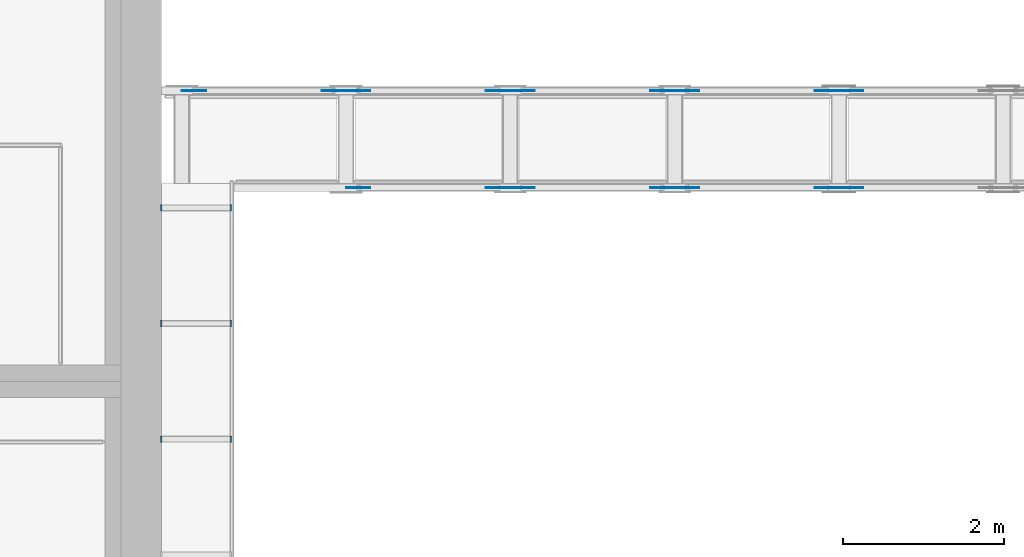
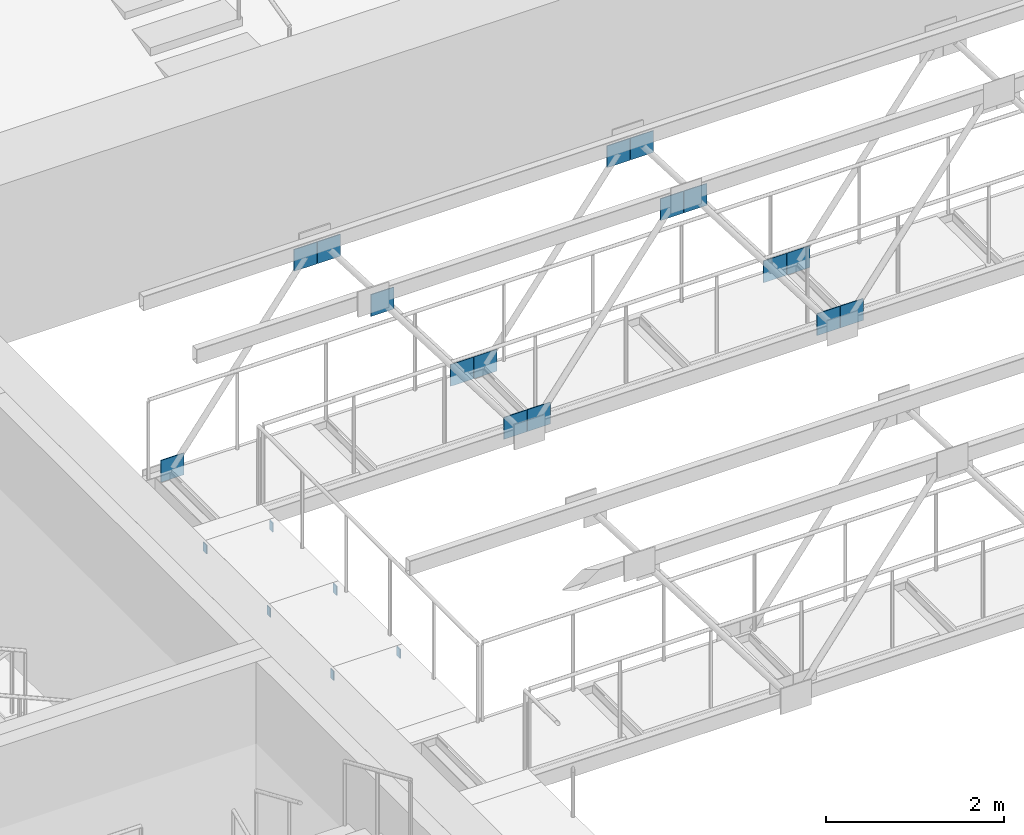
# One storey, part 46 of 70: 22 discrete accessories.
"""IFC4 building model written with IfcOpenShell, lengths in metres."""

import ifcopenshell
import ifcopenshell.guid

model = None  # the IFC model being written
_history = None  # IfcOwnerHistory: only IFC2X3 demands one
_inside = {}  # id of a spatial element -> (the spatial element, [elements in it])
_under = {}  # id of a project, library or spatial element -> (it, [spatial elements below it])
_declared = {}  # id of a project -> (the project, [libraries it declares])
_typed = {}  # id of a type object -> (the type object, [elements of that type])
_made_of = {}  # id of a material, layer set ... -> (it, [elements and type objects made of it])


def new_model(schema):
    """Start an empty IFC model of exactly this schema.

    Asked for "IFC4X3", IfcOpenShell would pick the latest addendum, in which some entities
    have other attributes; the version numbers below select the first issue.
    IFC2X3 requires an IfcOwnerHistory on every rooted entity: one is made here for all.
    """
    global model, _history
    if schema == "IFC4X3":
        model = ifcopenshell.file(schema_version=(4, 3, 0, 0))
    else:
        model = ifcopenshell.file(schema=schema)
    _inside.clear()
    _under.clear()
    _declared.clear()
    _typed.clear()
    _made_of.clear()
    _history = None
    if model.schema == "IFC2X3":
        org = make("IfcOrganization", Name="unknown")
        user = make(
            "IfcPersonAndOrganization",
            ThePerson=make("IfcPerson", FamilyName="unknown"),
            TheOrganization=org,
        )
        app = make(
            "IfcApplication",
            ApplicationDeveloper=org,
            Version="unknown",
            ApplicationFullName="unknown",
            ApplicationIdentifier="unknown",
        )
        _history = make(
            "IfcOwnerHistory",
            OwningUser=user,
            OwningApplication=app,
            ChangeAction="ADDED",
            CreationDate=0,
        )
    return model


def make(cls, **values):
    """One entity of the class cls with the attributes given. An attribute that is None is left unset."""
    return model.create_entity(
        cls, **{name: value for name, value in values.items() if value is not None}
    )


def rooted(cls, **values):
    """An entity with a GlobalId (a new one), such as an element, a storey or a relation."""
    return make(cls, GlobalId=ifcopenshell.guid.new(), OwnerHistory=_history, **values)


def si_unit(unit_type, name, prefix=None):
    """IfcSIUnit, for example si_unit("LENGTHUNIT", "METRE", prefix="MILLI")."""
    return make("IfcSIUnit", UnitType=unit_type, Prefix=prefix, Name=name)


def assignment(units):
    """IfcUnitAssignment: the units of a project."""
    return None if units is None else make("IfcUnitAssignment", Units=units)


def point(xyz):
    """IfcCartesianPoint."""
    return None if xyz is None else make("IfcCartesianPoint", Coordinates=xyz)


def direction(xyz):
    """IfcDirection."""
    return None if xyz is None else make("IfcDirection", DirectionRatios=xyz)


def frame(location, z_axis=None, x_axis=None):
    """IfcAxis2Placement3D, a coordinate frame: its origin and axes. An axis left out is left unset."""
    return make(
        "IfcAxis2Placement3D",
        Location=point(location),
        Axis=direction(z_axis),
        RefDirection=direction(x_axis),
    )


def frame_2d(location, x_axis=None):
    """IfcAxis2Placement2D, a coordinate frame in the plane: its origin and x axis."""
    return make(
        "IfcAxis2Placement2D", Location=point(location), RefDirection=direction(x_axis)
    )


def origin():
    """The frame at (0, 0, 0) with its axes left unset."""
    return frame((0.0, 0.0, 0.0))


def origin_2d():
    """The frame at (0, 0) in the plane with its x axis left unset."""
    return frame_2d((0.0, 0.0))


def place(relative_to, where):
    """IfcLocalPlacement: puts the frame where relative to a parent placement (None: the world)."""
    return make(
        "IfcLocalPlacement", PlacementRelTo=relative_to, RelativePlacement=where
    )


def context(
    kind, dimensions, precision=None, world=None, true_north=None, identifier=None
):
    """IfcGeometricRepresentationContext, for example the 3D "Model" context."""
    return make(
        "IfcGeometricRepresentationContext",
        ContextIdentifier=identifier,
        ContextType=kind,
        CoordinateSpaceDimension=dimensions,
        Precision=precision,
        WorldCoordinateSystem=world,
        TrueNorth=true_north,
    )


def subcontext(parent, identifier, kind, view, scale=None):
    """IfcGeometricRepresentationSubContext, for example "Body" below "Model"."""
    return make(
        "IfcGeometricRepresentationSubContext",
        ContextIdentifier=identifier,
        ContextType=kind,
        ParentContext=parent,
        TargetScale=scale,
        TargetView=view,
    )


def project(units=None, contexts=None):
    """IfcProject with its units and contexts."""
    return rooted(
        "IfcProject",
        Name="project",
        RepresentationContexts=contexts,
        UnitsInContext=assignment(units),
    )


def spatial(cls, under=None, at=None, **own):
    """A site, building, storey or space (cls), placed at a placement, below another one or the project."""
    s = rooted(cls, ObjectPlacement=at, **own)
    if under is not None:
        _under.setdefault(under.id(), (under, []))[1].append(s)
    return s


def profile(cls, at=None, kind="AREA", **sizes):
    """A parametric profile (cls). Its sizes go by their IFC names, for example OverallWidth=200.0."""
    return make(cls, ProfileType=kind, Position=at, **sizes)


def rectangle(**sizes):
    """IfcRectangleProfileDef."""
    return profile("IfcRectangleProfileDef", **sizes)


def extrude(swept, where, along, depth):
    """IfcExtrudedAreaSolid: the profile swept, set in the frame where, extruded along a direction by depth."""
    return make(
        "IfcExtrudedAreaSolid",
        SweptArea=swept,
        Position=where,
        ExtrudedDirection=direction(along),
        Depth=depth,
    )


def shape(context_of_items, identifier, shape_type, items):
    """IfcShapeRepresentation: the items that make up one representation, for example the "Body"."""
    return make(
        "IfcShapeRepresentation",
        ContextOfItems=context_of_items,
        RepresentationIdentifier=identifier,
        RepresentationType=shape_type,
        Items=items,
    )


def material(Name=None, Category=None):
    """IfcMaterial."""
    return make("IfcMaterial", Name=Name, Category=Category)


def material_profile(
    of_material, cross_section, Name=None, Category=None, Priority=None
):
    """IfcMaterialProfile: a cross section and its material."""
    return make(
        "IfcMaterialProfile",
        Name=Name,
        Material=of_material,
        Profile=cross_section,
        Priority=Priority,
        Category=Category,
    )


def profile_set(profiles, Name=None, composite=None):
    """IfcMaterialProfileSet."""
    return make(
        "IfcMaterialProfileSet",
        Name=Name,
        MaterialProfiles=profiles,
        CompositeProfile=composite,
    )


def made_of(thing, what):
    """Note that an element or type object is made of a material, layer set ...; save() writes the relation."""
    if what is not None:
        _made_of.setdefault(what.id(), (what, []))[1].append(thing)
    return thing


def type_object(cls, material=None, **own):
    """A type object (cls), such as IfcWallType, which elements share."""
    return made_of(rooted(cls, **own), material)


def element(
    cls,
    number,
    at=None,
    inside=None,
    cuts=None,
    type_object=None,
    material=None,
    context=None,
    identifier="Body",
    shape_type=None,
    held_by="IfcProductDefinitionShape",
    body=None,
    shapes=None,
    **own,
):
    """One element of the class cls, such as IfcWall. Its Tag is "e" and its number.

    at: its placement. inside: the storey or other place that contains it. cuts: it is an
    opening in that element (IfcRelVoidsElement). A single representation is given by context,
    identifier, shape_type and body (its items); several are given by shapes. held_by: the class
    of the entity that holds the representations. save() writes the other relations.
    """
    e = rooted(cls, Tag="e%d" % number, ObjectPlacement=at, **own)
    if body is not None:
        shapes = [shape(context, identifier, shape_type, body)]
    if shapes is not None:
        e.Representation = make(held_by, Representations=shapes)
    if inside is not None:
        _inside.setdefault(inside.id(), (inside, []))[1].append(e)
    if cuts is not None:
        rooted(
            "IfcRelVoidsElement", RelatingBuildingElement=cuts, RelatedOpeningElement=e
        )
    if type_object is not None:
        _typed.setdefault(type_object.id(), (type_object, []))[1].append(e)
    return made_of(e, material)


def aggregate(whole, parts):
    """IfcRelAggregates: a whole, such as a stair, and the parts it consists of."""
    return rooted("IfcRelAggregates", RelatingObject=whole, RelatedObjects=parts)


def save(model, path):
    """Write the relations noted so far, then the file.

    IfcRelAggregates (storeys below a building ...), IfcRelContainedInSpatialStructure (elements
    in a storey), IfcRelDefinesByType, IfcRelAssociatesMaterial and IfcRelDeclares: one each for
    every whole, place, type object, material and project.
    """
    for whole, parts in _under.values():
        aggregate(whole, parts)
    for where, things in _inside.values():
        rooted(
            "IfcRelContainedInSpatialStructure",
            RelatedElements=things,
            RelatingStructure=where,
        )
    for kind, things in _typed.values():
        rooted("IfcRelDefinesByType", RelatedObjects=things, RelatingType=kind)
    for what, things in _made_of.values():
        rooted("IfcRelAssociatesMaterial", RelatedObjects=things, RelatingMaterial=what)
    for by, libraries in _declared.values():
        rooted("IfcRelDeclares", RelatingContext=by, RelatedDefinitions=libraries)
    model.write(path)


model = new_model("IFC4")

# Units and contexts
model_context = context("Model", 3, precision=1e-05, world=origin(), true_north=direction((0.0, 1.0)))
body_context = subcontext(model_context, "Body", "Model", "MODEL_VIEW")
ifc_project = project(units=[si_unit("LENGTHUNIT", "METRE"), si_unit("AREAUNIT", "SQUARE_METRE"), si_unit("VOLUMEUNIT", "CUBIC_METRE"), si_unit("PLANEANGLEUNIT", "RADIAN"), si_unit("MASSUNIT", "GRAM", prefix="KILO")], contexts=[model_context])

# Site, building, storey
site_placement = place(None, origin())
site = spatial("IfcSite", under=ifc_project, at=site_placement, CompositionType="ELEMENT")
building_placement = place(site_placement, origin())
building = spatial("IfcBuilding", under=site, at=building_placement, Name="Saffron Lane Theatres", CompositionType="ELEMENT")
storey_placement = place(building_placement, frame((0.0, 0.0, 12.0)))
storey = spatial("IfcBuildingStorey", under=building, at=storey_placement, Name="L02", CompositionType="ELEMENT", Elevation=12.0)

# Discrete accessories
ifc_material_1 = material(Name="Steel Grade 350", Category="steel")
ifc_material_profile_1 = material_profile(ifc_material_1, rectangle(XDim=0.300048828125, YDim=0.300048828125, at=origin_2d()))
ifc_profile_set_1 = profile_set([ifc_material_profile_1], Name="Steel Grade 350")
discrete_accessory_type_1 = type_object("IfcDiscreteAccessoryType", Name="ST-GUSSET CONNECTION PLATE", PredefinedType="BRACKET", material=ifc_profile_set_1)
for number, where, z_axis, x_axis, name in (
    (1, (20.9384765625, 68.39501953125, 6.777099609375), (0.0, 1.0, 0.0), (-1.0, 0.0, 0.0), "GB525"),
    (2, (22.668701171875, 68.39501953125, 4.48291015625), (0.0, 1.0, 0.0), (-1.0, 0.0, 0.0), "GB526"),
    (3, (22.97412109375, 68.39501953125, 4.48291015625), (0.0, 1.0, 0.0), (-1.0, 0.0, 0.0), "GB527"),
    (4, (24.704345703125, 68.39501953125, 6.777099609375), (0.0, 1.0, 0.0), (-1.0, 0.0, 0.0), "GB528"),
    (5, (25.009765625, 68.39501953125, 6.777099609375), (0.0, 1.0, 0.0), (-1.0, 0.0, 0.0), "GB529"),
    (6, (26.740234375, 68.39501953125, 4.48291015625), (0.0, 1.0, 0.0), (-1.0, 0.0, 0.0), "GB530"),
    (7, (27.045654296875, 68.39501953125, 4.48291015625), (0.0, 1.0, 0.0), (-1.0, 0.0, 0.0), "GB531"),
    (8, (18.902587890625, 69.594970703125, 4.48291015625), (0.0, 1.0, 0.0), (-1.0, 0.0, 0.0), "GB549"),
    (9, (20.633056640625, 69.594970703125, 6.777099609375), (0.0, 1.0, 0.0), (-1.0, 0.0, 0.0), "GB550"),
    (10, (20.9384765625, 69.594970703125, 6.777099609375), (0.0, 1.0, 0.0), (-1.0, 0.0, 0.0), "GB551"),
    (11, (22.668701171875, 69.594970703125, 4.48291015625), (0.0, 1.0, 0.0), (-1.0, 0.0, 0.0), "GB552"),
    (12, (22.97412109375, 69.594970703125, 4.48291015625), (0.0, 1.0, 0.0), (-1.0, 0.0, 0.0), "GB553"),
    (13, (24.704345703125, 69.594970703125, 6.777099609375), (0.0, 1.0, 0.0), (-1.0, 0.0, 0.0), "GB554"),
    (14, (25.009765625, 69.594970703125, 6.777099609375), (0.0, 1.0, 0.0), (-1.0, 0.0, 0.0), "GB555"),
    (15, (26.740234375, 69.594970703125, 4.48291015625), (0.0, 1.0, 0.0), (-1.0, 0.0, 0.0), "GB556"),
    (16, (27.045654296875, 69.594970703125, 4.48291015625), (0.0, 1.0, 0.0), (-1.0, 0.0, 0.0), "GB557"),
):
    element("IfcDiscreteAccessory", number, at=place(storey_placement, frame(where, z_axis=z_axis, x_axis=x_axis)), inside=storey, type_object=discrete_accessory_type_1, Name=name, PredefinedType="BRACKET", context=body_context, shape_type="SweptSolid", body=[
        extrude(rectangle(XDim=0.300048828125, YDim=0.300048828125, at=origin_2d()), origin(), (0.0, 0.0, 1.0), 0.010009765625),
    ])
ifc_material_2 = material(Name="Steel Grade 350", Category="steel")
ifc_material_profile_2 = material_profile(ifc_material_2, rectangle(XDim=0.074951171875, YDim=0.125, at=origin_2d()))
ifc_profile_set_2 = profile_set([ifc_material_profile_2], Name="Steel Grade 350")
discrete_accessory_type_2 = type_object("IfcDiscreteAccessoryType", Name="ST-STEEL END CAP 125x75x5 RHS", PredefinedType="ANCHORPLATE", material=ifc_profile_set_2)
for number, where, z_axis, x_axis, name in (
    (17, (18.488037109375, 65.283447265625, 4.3974609375), (1.0, 0.0, 0.0), (0.0, 1.0, 0.0), "EC629"),
    (18, (19.35009765625, 65.283447265625, 4.3974609375), (1.0, 0.0, 0.0), (0.0, 1.0, 0.0), "EC630"),
    (19, (18.488037109375, 66.716552734375, 4.3974609375), (1.0, 0.0, 0.0), (0.0, 1.0, 0.0), "EC631"),
    (20, (19.35009765625, 66.716552734375, 4.3974609375), (1.0, 0.0, 0.0), (0.0, 1.0, 0.0), "EC632"),
    (21, (18.488037109375, 68.14990234375, 4.3974609375), (1.0, 0.0, 0.0), (0.0, 1.0, 0.0), "EC633"),
    (22, (19.35009765625, 68.14990234375, 4.3974609375), (1.0, 0.0, 0.0), (0.0, 1.0, 0.0), "EC634"),
):
    element("IfcDiscreteAccessory", number, at=place(storey_placement, frame(where, z_axis=z_axis, x_axis=x_axis)), inside=storey, type_object=discrete_accessory_type_2, Name=name, PredefinedType="ANCHORPLATE", context=body_context, shape_type="SweptSolid", body=[
        extrude(rectangle(XDim=0.074951171875, YDim=0.125, at=origin_2d()), origin(), (0.0, 0.0, 1.0), 0.011962890625),
    ])

save(model, "model.ifc")
